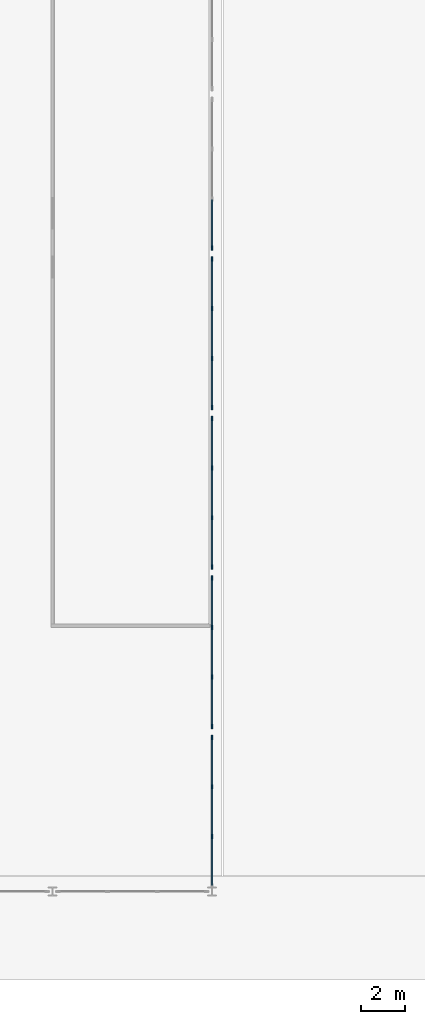
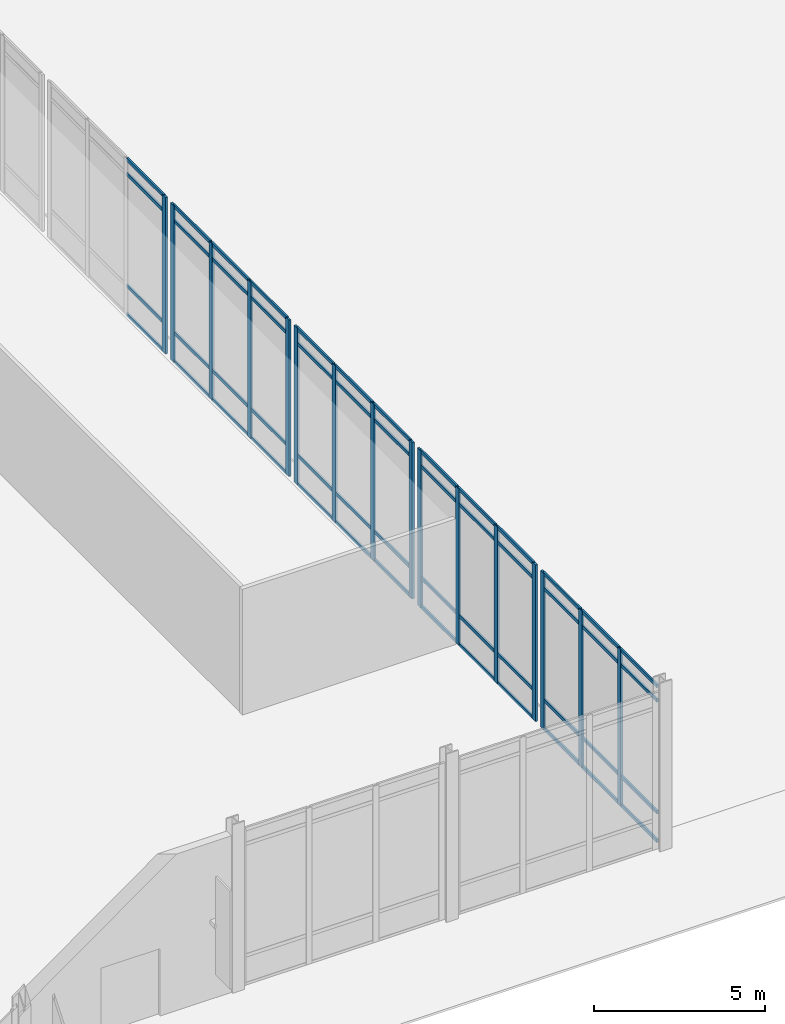
# One storey, part 25 of 104: 68 members, 5 elements without a shape of their own.
"""IFC4 building model written with IfcOpenShell, lengths in metres."""

from ifc_helpers import new_model, si_unit, direction, frame, origin, origin_2d, place, context, subcontext, project, spatial, rectangle, extrude, material, material_profile, profile_set, type_object, element, aggregate, save


model = new_model("IFC4")

# Units and contexts
model_context = context("Model", 3, precision=1e-05, world=origin(), true_north=direction((0.0, 1.0)))
body_context = subcontext(model_context, "Body", "Model", "MODEL_VIEW")
ifc_project = project(units=[si_unit("LENGTHUNIT", "METRE"), si_unit("AREAUNIT", "SQUARE_METRE"), si_unit("VOLUMEUNIT", "CUBIC_METRE"), si_unit("PLANEANGLEUNIT", "RADIAN"), si_unit("MASSUNIT", "GRAM", prefix="KILO")], contexts=[model_context])

# Site, building, storey
site_placement = place(None, origin())
site = spatial("IfcSite", under=ifc_project, at=site_placement, CompositionType="ELEMENT")
building_placement = place(site_placement, origin())
building = spatial("IfcBuilding", under=site, at=building_placement, Name="Vaelcorin Mobility Hub", CompositionType="ELEMENT")
storey_placement = place(building_placement, origin())
storey = spatial("IfcBuildingStorey", under=building, at=storey_placement, Name="L00", CompositionType="ELEMENT", Elevation=0.0)

# Curtain wall, members
ifc_material = material(Name="Anodised aluminium 6063-T6", Category="aluminium")
curtain_wall_type = type_object("IfcCurtainWallType", Name="CW-CONC-B", PredefinedType="NOTDEFINED", material=ifc_material)
curtain_wall_1_placement = place(storey_placement, origin())
curtain_wall_1 = element("IfcCurtainWall", 1, at=curtain_wall_1_placement, inside=storey, type_object=curtain_wall_type, Name="L00 Curtain Wall CW-V1-E-01", PredefinedType="NOTDEFINED")
ifc_material_profile_1 = material_profile(ifc_material, rectangle(XDim=0.070068359375, YDim=0.199951171875, at=origin_2d()), Name="ALU-M70X200")
ifc_profile_set_1 = profile_set([ifc_material_profile_1], Name="Anodised aluminium 6063-T6")
member_type_1 = type_object("IfcMemberType", Name="CW-MULL-200", PredefinedType="MULLION", material=ifc_profile_set_1)
member_1_placement = place(storey_placement, frame((108.0, 12.949951171875, 0.0), z_axis=(0.0, 0.0, 1.0), x_axis=(1.0, 0.0, 0.0)))
member_1 = element("IfcMember", 2, at=member_1_placement, type_object=member_type_1, Name="CW2 mullion 1", PredefinedType="MULLION", context=body_context, shape_type="SweptSolid", body=[
    extrude(rectangle(XDim=0.070068359375, YDim=0.199951171875, at=origin_2d()), origin(), (0.0, 0.0, 1.0), 5.580078125),
])
member_2_placement = place(storey_placement, frame((108.0, 10.7265625, 0.0), z_axis=(0.0, 0.0, 1.0), x_axis=(1.0, 0.0, 0.0)))
member_2 = element("IfcMember", 3, at=member_2_placement, type_object=member_type_1, Name="CW2 mullion 2", PredefinedType="MULLION", context=body_context, shape_type="SweptSolid", body=[
    extrude(rectangle(XDim=0.070068359375, YDim=0.199951171875, at=origin_2d()), origin(), (0.0, 0.0, 1.0), 5.580078125),
])
member_3_placement = place(storey_placement, frame((108.0, 8.473388671875, 0.0), z_axis=(0.0, 0.0, 1.0), x_axis=(1.0, 0.0, 0.0)))
member_3 = element("IfcMember", 4, at=member_3_placement, type_object=member_type_1, Name="CW2 mullion 3", PredefinedType="MULLION", context=body_context, shape_type="SweptSolid", body=[
    extrude(rectangle(XDim=0.070068359375, YDim=0.199951171875, at=origin_2d()), origin(), (0.0, 0.0, 1.0), 5.580078125),
])

curtain_wall_2_placement = place(storey_placement, origin())
curtain_wall_2 = element("IfcCurtainWall", 5, at=curtain_wall_2_placement, inside=storey, type_object=curtain_wall_type, Name="L00 Curtain Wall CW-V1-E-02", PredefinedType="NOTDEFINED")
member_4_placement = place(storey_placement, frame((108.0, 20.14990234375, 0.0), z_axis=(0.0, 0.0, 1.0), x_axis=(1.0, 0.0, 0.0)))
member_4 = element("IfcMember", 6, at=member_4_placement, type_object=member_type_1, Name="CW2 mullion 1", PredefinedType="MULLION", context=body_context, shape_type="SweptSolid", body=[
    extrude(rectangle(XDim=0.070068359375, YDim=0.199951171875, at=origin_2d()), origin(), (0.0, 0.0, 1.0), 5.580078125),
])
member_5_placement = place(storey_placement, frame((108.0, 17.9267578125, 0.0), z_axis=(0.0, 0.0, 1.0), x_axis=(1.0, 0.0, 0.0)))
member_5 = element("IfcMember", 7, at=member_5_placement, type_object=member_type_1, Name="CW2 mullion 2", PredefinedType="MULLION", context=body_context, shape_type="SweptSolid", body=[
    extrude(rectangle(XDim=0.070068359375, YDim=0.199951171875, at=origin_2d()), origin(), (0.0, 0.0, 1.0), 5.580078125),
])
member_6_placement = place(storey_placement, frame((108.0, 15.67333984375, 0.0), z_axis=(0.0, 0.0, 1.0), x_axis=(1.0, 0.0, 0.0)))
member_6 = element("IfcMember", 8, at=member_6_placement, type_object=member_type_1, Name="CW2 mullion 3", PredefinedType="MULLION", context=body_context, shape_type="SweptSolid", body=[
    extrude(rectangle(XDim=0.070068359375, YDim=0.199951171875, at=origin_2d()), origin(), (0.0, 0.0, 1.0), 5.580078125),
])
member_7_placement = place(storey_placement, frame((108.0, 13.449951171875, 0.0), z_axis=(0.0, 0.0, 1.0), x_axis=(1.0, 0.0, 0.0)))
member_7 = element("IfcMember", 9, at=member_7_placement, type_object=member_type_1, Name="CW2 mullion 4", PredefinedType="MULLION", context=body_context, shape_type="SweptSolid", body=[
    extrude(rectangle(XDim=0.070068359375, YDim=0.199951171875, at=origin_2d()), origin(), (0.0, 0.0, 1.0), 5.580078125),
])

curtain_wall_3_placement = place(storey_placement, origin())
curtain_wall_3 = element("IfcCurtainWall", 10, at=curtain_wall_3_placement, inside=storey, type_object=curtain_wall_type, Name="L00 Curtain Wall CW-V1-E-03", PredefinedType="NOTDEFINED")
member_8_placement = place(storey_placement, frame((108.0, 27.35009765625, 0.0), z_axis=(0.0, 0.0, 1.0), x_axis=(1.0, 0.0, 0.0)))
member_8 = element("IfcMember", 11, at=member_8_placement, type_object=member_type_1, Name="CW2 mullion 1", PredefinedType="MULLION", context=body_context, shape_type="SweptSolid", body=[
    extrude(rectangle(XDim=0.070068359375, YDim=0.199951171875, at=origin_2d()), origin(), (0.0, 0.0, 1.0), 5.580078125),
])
member_9_placement = place(storey_placement, frame((108.0, 25.126708984375, 0.0), z_axis=(0.0, 0.0, 1.0), x_axis=(1.0, 0.0, 0.0)))
member_9 = element("IfcMember", 12, at=member_9_placement, type_object=member_type_1, Name="CW2 mullion 2", PredefinedType="MULLION", context=body_context, shape_type="SweptSolid", body=[
    extrude(rectangle(XDim=0.070068359375, YDim=0.199951171875, at=origin_2d()), origin(), (0.0, 0.0, 1.0), 5.580078125),
])
member_10_placement = place(storey_placement, frame((108.0, 22.873291015625, 0.0), z_axis=(0.0, 0.0, 1.0), x_axis=(1.0, 0.0, 0.0)))
member_10 = element("IfcMember", 13, at=member_10_placement, type_object=member_type_1, Name="CW2 mullion 3", PredefinedType="MULLION", context=body_context, shape_type="SweptSolid", body=[
    extrude(rectangle(XDim=0.070068359375, YDim=0.199951171875, at=origin_2d()), origin(), (0.0, 0.0, 1.0), 5.580078125),
])
member_11_placement = place(storey_placement, frame((108.0, 20.64990234375, 0.0), z_axis=(0.0, 0.0, 1.0), x_axis=(1.0, 0.0, 0.0)))
member_11 = element("IfcMember", 14, at=member_11_placement, type_object=member_type_1, Name="CW2 mullion 4", PredefinedType="MULLION", context=body_context, shape_type="SweptSolid", body=[
    extrude(rectangle(XDim=0.070068359375, YDim=0.199951171875, at=origin_2d()), origin(), (0.0, 0.0, 1.0), 5.580078125),
])

curtain_wall_4_placement = place(storey_placement, origin())
curtain_wall_4 = element("IfcCurtainWall", 15, at=curtain_wall_4_placement, inside=storey, type_object=curtain_wall_type, Name="L00 Curtain Wall CW-V1-E-04", PredefinedType="NOTDEFINED")
member_12_placement = place(storey_placement, frame((108.0, 34.550048828125, 0.0), z_axis=(0.0, 0.0, 1.0), x_axis=(1.0, 0.0, 0.0)))
member_12 = element("IfcMember", 16, at=member_12_placement, type_object=member_type_1, Name="CW2 mullion 1", PredefinedType="MULLION", context=body_context, shape_type="SweptSolid", body=[
    extrude(rectangle(XDim=0.070068359375, YDim=0.199951171875, at=origin_2d()), origin(), (0.0, 0.0, 1.0), 5.580078125),
])
member_13_placement = place(storey_placement, frame((108.0, 32.32666015625, 0.0), z_axis=(0.0, 0.0, 1.0), x_axis=(1.0, 0.0, 0.0)))
member_13 = element("IfcMember", 17, at=member_13_placement, type_object=member_type_1, Name="CW2 mullion 2", PredefinedType="MULLION", context=body_context, shape_type="SweptSolid", body=[
    extrude(rectangle(XDim=0.070068359375, YDim=0.199951171875, at=origin_2d()), origin(), (0.0, 0.0, 1.0), 5.580078125),
])
member_14_placement = place(storey_placement, frame((108.0, 30.0732421875, 0.0), z_axis=(0.0, 0.0, 1.0), x_axis=(1.0, 0.0, 0.0)))
member_14 = element("IfcMember", 18, at=member_14_placement, type_object=member_type_1, Name="CW2 mullion 3", PredefinedType="MULLION", context=body_context, shape_type="SweptSolid", body=[
    extrude(rectangle(XDim=0.070068359375, YDim=0.199951171875, at=origin_2d()), origin(), (0.0, 0.0, 1.0), 5.580078125),
])
member_15_placement = place(storey_placement, frame((108.0, 27.85009765625, 0.0), z_axis=(0.0, 0.0, 1.0), x_axis=(1.0, 0.0, 0.0)))
member_15 = element("IfcMember", 19, at=member_15_placement, type_object=member_type_1, Name="CW2 mullion 4", PredefinedType="MULLION", context=body_context, shape_type="SweptSolid", body=[
    extrude(rectangle(XDim=0.070068359375, YDim=0.199951171875, at=origin_2d()), origin(), (0.0, 0.0, 1.0), 5.580078125),
])

# Curtain wall, member
curtain_wall_5_placement = place(storey_placement, origin())
curtain_wall_5 = element("IfcCurtainWall", 20, at=curtain_wall_5_placement, inside=storey, type_object=curtain_wall_type, Name="L00 Curtain Wall CW-V1-E-05", PredefinedType="NOTDEFINED")
member_16_placement = place(storey_placement, frame((108.0, 35.050048828125, 0.0), z_axis=(0.0, 0.0, 1.0), x_axis=(1.0, 0.0, 0.0)))
member_16 = element("IfcMember", 21, at=member_16_placement, type_object=member_type_1, Name="CW2 mullion 4", PredefinedType="MULLION", context=body_context, shape_type="SweptSolid", body=[
    extrude(rectangle(XDim=0.070068359375, YDim=0.199951171875, at=origin_2d()), origin(), (0.0, 0.0, 1.0), 5.580078125),
])

# Member
ifc_material_profile_2 = material_profile(ifc_material, rectangle(XDim=0.06005859375, YDim=0.1201171875, at=origin_2d()), Name="ALU-T60X120")
ifc_profile_set_2 = profile_set([ifc_material_profile_2], Name="Anodised aluminium 6063-T6")
member_type_2 = type_object("IfcMemberType", Name="CW-TRAN-140", PredefinedType="USERDEFINED", material=ifc_profile_set_2)
member_17_placement = place(storey_placement, frame((108.0, 12.919921875, 0.030029296875), z_axis=(0.0, -1.0, 0.0), x_axis=(1.0, 0.0, 0.0)))
member_17 = element("IfcMember", 22, at=member_17_placement, type_object=member_type_2, Name="CW2 transom 1.1", ObjectType="TRANSOM", PredefinedType="USERDEFINED", context=body_context, shape_type="SweptSolid", body=[
    extrude(rectangle(XDim=0.06005859375, YDim=0.1201171875, at=origin_2d()), origin(), (0.0, 0.0, 1.0), 2.163330078125),
])

member_18_placement = place(storey_placement, frame((108.0, 12.919921875, 1.050048828125), z_axis=(0.0, -1.0, 0.0), x_axis=(1.0, 0.0, 0.0)))
member_18 = element("IfcMember", 23, at=member_18_placement, type_object=member_type_2, Name="CW2 transom 1.2", ObjectType="TRANSOM", PredefinedType="USERDEFINED", context=body_context, shape_type="SweptSolid", body=[
    extrude(rectangle(XDim=0.06005859375, YDim=0.1201171875, at=origin_2d()), origin(), (0.0, 0.0, 1.0), 2.163330078125),
])

member_19_placement = place(storey_placement, frame((108.0, 12.919921875, 5.030029296875), z_axis=(0.0, -1.0, 0.0), x_axis=(1.0, 0.0, 0.0)))
member_19 = element("IfcMember", 24, at=member_19_placement, type_object=member_type_2, Name="CW2 transom 1.3", ObjectType="TRANSOM", PredefinedType="USERDEFINED", context=body_context, shape_type="SweptSolid", body=[
    extrude(rectangle(XDim=0.06005859375, YDim=0.1201171875, at=origin_2d()), origin(), (0.0, 0.0, 1.0), 2.163330078125),
])

member_20_placement = place(storey_placement, frame((108.0, 12.919921875, 5.550048828125), z_axis=(0.0, -1.0, 0.0), x_axis=(1.0, 0.0, 0.0)))
member_20 = element("IfcMember", 25, at=member_20_placement, type_object=member_type_2, Name="CW2 transom 1.4", ObjectType="TRANSOM", PredefinedType="USERDEFINED", context=body_context, shape_type="SweptSolid", body=[
    extrude(rectangle(XDim=0.06005859375, YDim=0.1201171875, at=origin_2d()), origin(), (0.0, 0.0, 1.0), 2.163330078125),
])

member_21_placement = place(storey_placement, frame((108.0, 10.69677734375, 0.030029296875), z_axis=(0.0, -1.0, 0.0), x_axis=(1.0, 0.0, 0.0)))
member_21 = element("IfcMember", 26, at=member_21_placement, type_object=member_type_2, Name="CW2 transom 2.1", ObjectType="TRANSOM", PredefinedType="USERDEFINED", context=body_context, shape_type="SweptSolid", body=[
    extrude(rectangle(XDim=0.06005859375, YDim=0.1201171875, at=origin_2d()), origin(), (0.0, 0.0, 1.0), 2.193359375),
])

member_22_placement = place(storey_placement, frame((108.0, 10.69677734375, 1.050048828125), z_axis=(0.0, -1.0, 0.0), x_axis=(1.0, 0.0, 0.0)))
member_22 = element("IfcMember", 27, at=member_22_placement, type_object=member_type_2, Name="CW2 transom 2.2", ObjectType="TRANSOM", PredefinedType="USERDEFINED", context=body_context, shape_type="SweptSolid", body=[
    extrude(rectangle(XDim=0.06005859375, YDim=0.1201171875, at=origin_2d()), origin(), (0.0, 0.0, 1.0), 2.193359375),
])

member_23_placement = place(storey_placement, frame((108.0, 10.69677734375, 5.030029296875), z_axis=(0.0, -1.0, 0.0), x_axis=(1.0, 0.0, 0.0)))
member_23 = element("IfcMember", 28, at=member_23_placement, type_object=member_type_2, Name="CW2 transom 2.3", ObjectType="TRANSOM", PredefinedType="USERDEFINED", context=body_context, shape_type="SweptSolid", body=[
    extrude(rectangle(XDim=0.06005859375, YDim=0.1201171875, at=origin_2d()), origin(), (0.0, 0.0, 1.0), 2.193359375),
])

member_24_placement = place(storey_placement, frame((108.0, 10.69677734375, 5.550048828125), z_axis=(0.0, -1.0, 0.0), x_axis=(1.0, 0.0, 0.0)))
member_24 = element("IfcMember", 29, at=member_24_placement, type_object=member_type_2, Name="CW2 transom 2.4", ObjectType="TRANSOM", PredefinedType="USERDEFINED", context=body_context, shape_type="SweptSolid", body=[
    extrude(rectangle(XDim=0.06005859375, YDim=0.1201171875, at=origin_2d()), origin(), (0.0, 0.0, 1.0), 2.193359375),
])

member_25_placement = place(storey_placement, frame((108.0, 8.443359375, 0.030029296875), z_axis=(0.0, -1.0, 0.0), x_axis=(1.0, 0.0, 0.0)))
member_25 = element("IfcMember", 30, at=member_25_placement, type_object=member_type_2, Name="CW2 transom 3.1", ObjectType="TRANSOM", PredefinedType="USERDEFINED", context=body_context, shape_type="SweptSolid", body=[
    extrude(rectangle(XDim=0.06005859375, YDim=0.1201171875, at=origin_2d()), origin(), (0.0, 0.0, 1.0), 2.163330078125),
])

member_26_placement = place(storey_placement, frame((108.0, 8.443359375, 1.050048828125), z_axis=(0.0, -1.0, 0.0), x_axis=(1.0, 0.0, 0.0)))
member_26 = element("IfcMember", 31, at=member_26_placement, type_object=member_type_2, Name="CW2 transom 3.2", ObjectType="TRANSOM", PredefinedType="USERDEFINED", context=body_context, shape_type="SweptSolid", body=[
    extrude(rectangle(XDim=0.06005859375, YDim=0.1201171875, at=origin_2d()), origin(), (0.0, 0.0, 1.0), 2.163330078125),
])

member_27_placement = place(storey_placement, frame((108.0, 8.443359375, 5.030029296875), z_axis=(0.0, -1.0, 0.0), x_axis=(1.0, 0.0, 0.0)))
member_27 = element("IfcMember", 32, at=member_27_placement, type_object=member_type_2, Name="CW2 transom 3.3", ObjectType="TRANSOM", PredefinedType="USERDEFINED", context=body_context, shape_type="SweptSolid", body=[
    extrude(rectangle(XDim=0.06005859375, YDim=0.1201171875, at=origin_2d()), origin(), (0.0, 0.0, 1.0), 2.163330078125),
])

member_28_placement = place(storey_placement, frame((108.0, 8.443359375, 5.550048828125), z_axis=(0.0, -1.0, 0.0), x_axis=(1.0, 0.0, 0.0)))
member_28 = element("IfcMember", 33, at=member_28_placement, type_object=member_type_2, Name="CW2 transom 3.4", ObjectType="TRANSOM", PredefinedType="USERDEFINED", context=body_context, shape_type="SweptSolid", body=[
    extrude(rectangle(XDim=0.06005859375, YDim=0.1201171875, at=origin_2d()), origin(), (0.0, 0.0, 1.0), 2.163330078125),
])

aggregate(curtain_wall_1, [member_1, member_2, member_3, member_17, member_18, member_19, member_20, member_21, member_22, member_23, member_24, member_25, member_26, member_27, member_28])

member_29_placement = place(storey_placement, frame((108.0, 20.1201171875, 0.030029296875), z_axis=(0.0, -1.0, 0.0), x_axis=(1.0, 0.0, 0.0)))
member_29 = element("IfcMember", 34, at=member_29_placement, type_object=member_type_2, Name="CW2 transom 1.1", ObjectType="TRANSOM", PredefinedType="USERDEFINED", context=body_context, shape_type="SweptSolid", body=[
    extrude(rectangle(XDim=0.06005859375, YDim=0.1201171875, at=origin_2d()), origin(), (0.0, 0.0, 1.0), 2.163330078125),
])

member_30_placement = place(storey_placement, frame((108.0, 20.1201171875, 1.050048828125), z_axis=(0.0, -1.0, 0.0), x_axis=(1.0, 0.0, 0.0)))
member_30 = element("IfcMember", 35, at=member_30_placement, type_object=member_type_2, Name="CW2 transom 1.2", ObjectType="TRANSOM", PredefinedType="USERDEFINED", context=body_context, shape_type="SweptSolid", body=[
    extrude(rectangle(XDim=0.06005859375, YDim=0.1201171875, at=origin_2d()), origin(), (0.0, 0.0, 1.0), 2.163330078125),
])

member_31_placement = place(storey_placement, frame((108.0, 20.1201171875, 5.030029296875), z_axis=(0.0, -1.0, 0.0), x_axis=(1.0, 0.0, 0.0)))
member_31 = element("IfcMember", 36, at=member_31_placement, type_object=member_type_2, Name="CW2 transom 1.3", ObjectType="TRANSOM", PredefinedType="USERDEFINED", context=body_context, shape_type="SweptSolid", body=[
    extrude(rectangle(XDim=0.06005859375, YDim=0.1201171875, at=origin_2d()), origin(), (0.0, 0.0, 1.0), 2.163330078125),
])

member_32_placement = place(storey_placement, frame((108.0, 20.1201171875, 5.550048828125), z_axis=(0.0, -1.0, 0.0), x_axis=(1.0, 0.0, 0.0)))
member_32 = element("IfcMember", 37, at=member_32_placement, type_object=member_type_2, Name="CW2 transom 1.4", ObjectType="TRANSOM", PredefinedType="USERDEFINED", context=body_context, shape_type="SweptSolid", body=[
    extrude(rectangle(XDim=0.06005859375, YDim=0.1201171875, at=origin_2d()), origin(), (0.0, 0.0, 1.0), 2.163330078125),
])

member_33_placement = place(storey_placement, frame((108.0, 17.896728515625, 0.030029296875), z_axis=(0.0, -1.0, 0.0), x_axis=(1.0, 0.0, 0.0)))
member_33 = element("IfcMember", 38, at=member_33_placement, type_object=member_type_2, Name="CW2 transom 2.1", ObjectType="TRANSOM", PredefinedType="USERDEFINED", context=body_context, shape_type="SweptSolid", body=[
    extrude(rectangle(XDim=0.06005859375, YDim=0.1201171875, at=origin_2d()), origin(), (0.0, 0.0, 1.0), 2.193359375),
])

member_34_placement = place(storey_placement, frame((108.0, 17.896728515625, 1.050048828125), z_axis=(0.0, -1.0, 0.0), x_axis=(1.0, 0.0, 0.0)))
member_34 = element("IfcMember", 39, at=member_34_placement, type_object=member_type_2, Name="CW2 transom 2.2", ObjectType="TRANSOM", PredefinedType="USERDEFINED", context=body_context, shape_type="SweptSolid", body=[
    extrude(rectangle(XDim=0.06005859375, YDim=0.1201171875, at=origin_2d()), origin(), (0.0, 0.0, 1.0), 2.193359375),
])

member_35_placement = place(storey_placement, frame((108.0, 17.896728515625, 5.030029296875), z_axis=(0.0, -1.0, 0.0), x_axis=(1.0, 0.0, 0.0)))
member_35 = element("IfcMember", 40, at=member_35_placement, type_object=member_type_2, Name="CW2 transom 2.3", ObjectType="TRANSOM", PredefinedType="USERDEFINED", context=body_context, shape_type="SweptSolid", body=[
    extrude(rectangle(XDim=0.06005859375, YDim=0.1201171875, at=origin_2d()), origin(), (0.0, 0.0, 1.0), 2.193359375),
])

member_36_placement = place(storey_placement, frame((108.0, 17.896728515625, 5.550048828125), z_axis=(0.0, -1.0, 0.0), x_axis=(1.0, 0.0, 0.0)))
member_36 = element("IfcMember", 41, at=member_36_placement, type_object=member_type_2, Name="CW2 transom 2.4", ObjectType="TRANSOM", PredefinedType="USERDEFINED", context=body_context, shape_type="SweptSolid", body=[
    extrude(rectangle(XDim=0.06005859375, YDim=0.1201171875, at=origin_2d()), origin(), (0.0, 0.0, 1.0), 2.193359375),
])

member_37_placement = place(storey_placement, frame((108.0, 15.643310546875, 0.030029296875), z_axis=(0.0, -1.0, 0.0), x_axis=(1.0, 0.0, 0.0)))
member_37 = element("IfcMember", 42, at=member_37_placement, type_object=member_type_2, Name="CW2 transom 3.1", ObjectType="TRANSOM", PredefinedType="USERDEFINED", context=body_context, shape_type="SweptSolid", body=[
    extrude(rectangle(XDim=0.06005859375, YDim=0.1201171875, at=origin_2d()), origin(), (0.0, 0.0, 1.0), 2.163330078125),
])

member_38_placement = place(storey_placement, frame((108.0, 15.643310546875, 1.050048828125), z_axis=(0.0, -1.0, 0.0), x_axis=(1.0, 0.0, 0.0)))
member_38 = element("IfcMember", 43, at=member_38_placement, type_object=member_type_2, Name="CW2 transom 3.2", ObjectType="TRANSOM", PredefinedType="USERDEFINED", context=body_context, shape_type="SweptSolid", body=[
    extrude(rectangle(XDim=0.06005859375, YDim=0.1201171875, at=origin_2d()), origin(), (0.0, 0.0, 1.0), 2.163330078125),
])

member_39_placement = place(storey_placement, frame((108.0, 15.643310546875, 5.030029296875), z_axis=(0.0, -1.0, 0.0), x_axis=(1.0, 0.0, 0.0)))
member_39 = element("IfcMember", 44, at=member_39_placement, type_object=member_type_2, Name="CW2 transom 3.3", ObjectType="TRANSOM", PredefinedType="USERDEFINED", context=body_context, shape_type="SweptSolid", body=[
    extrude(rectangle(XDim=0.06005859375, YDim=0.1201171875, at=origin_2d()), origin(), (0.0, 0.0, 1.0), 2.163330078125),
])

member_40_placement = place(storey_placement, frame((108.0, 15.643310546875, 5.550048828125), z_axis=(0.0, -1.0, 0.0), x_axis=(1.0, 0.0, 0.0)))
member_40 = element("IfcMember", 45, at=member_40_placement, type_object=member_type_2, Name="CW2 transom 3.4", ObjectType="TRANSOM", PredefinedType="USERDEFINED", context=body_context, shape_type="SweptSolid", body=[
    extrude(rectangle(XDim=0.06005859375, YDim=0.1201171875, at=origin_2d()), origin(), (0.0, 0.0, 1.0), 2.163330078125),
])

aggregate(curtain_wall_2, [member_4, member_5, member_6, member_7, member_29, member_30, member_31, member_32, member_33, member_34, member_35, member_36, member_37, member_38, member_39, member_40])

member_41_placement = place(storey_placement, frame((108.0, 27.320068359375, 0.030029296875), z_axis=(0.0, -1.0, 0.0), x_axis=(1.0, 0.0, 0.0)))
member_41 = element("IfcMember", 46, at=member_41_placement, type_object=member_type_2, Name="CW2 transom 1.1", ObjectType="TRANSOM", PredefinedType="USERDEFINED", context=body_context, shape_type="SweptSolid", body=[
    extrude(rectangle(XDim=0.06005859375, YDim=0.1201171875, at=origin_2d()), origin(), (0.0, 0.0, 1.0), 2.163330078125),
])

member_42_placement = place(storey_placement, frame((108.0, 27.320068359375, 1.050048828125), z_axis=(0.0, -1.0, 0.0), x_axis=(1.0, 0.0, 0.0)))
member_42 = element("IfcMember", 47, at=member_42_placement, type_object=member_type_2, Name="CW2 transom 1.2", ObjectType="TRANSOM", PredefinedType="USERDEFINED", context=body_context, shape_type="SweptSolid", body=[
    extrude(rectangle(XDim=0.06005859375, YDim=0.1201171875, at=origin_2d()), origin(), (0.0, 0.0, 1.0), 2.163330078125),
])

member_43_placement = place(storey_placement, frame((108.0, 27.320068359375, 5.030029296875), z_axis=(0.0, -1.0, 0.0), x_axis=(1.0, 0.0, 0.0)))
member_43 = element("IfcMember", 48, at=member_43_placement, type_object=member_type_2, Name="CW2 transom 1.3", ObjectType="TRANSOM", PredefinedType="USERDEFINED", context=body_context, shape_type="SweptSolid", body=[
    extrude(rectangle(XDim=0.06005859375, YDim=0.1201171875, at=origin_2d()), origin(), (0.0, 0.0, 1.0), 2.163330078125),
])

member_44_placement = place(storey_placement, frame((108.0, 27.320068359375, 5.550048828125), z_axis=(0.0, -1.0, 0.0), x_axis=(1.0, 0.0, 0.0)))
member_44 = element("IfcMember", 49, at=member_44_placement, type_object=member_type_2, Name="CW2 transom 1.4", ObjectType="TRANSOM", PredefinedType="USERDEFINED", context=body_context, shape_type="SweptSolid", body=[
    extrude(rectangle(XDim=0.06005859375, YDim=0.1201171875, at=origin_2d()), origin(), (0.0, 0.0, 1.0), 2.163330078125),
])

member_45_placement = place(storey_placement, frame((108.0, 25.0966796875, 0.030029296875), z_axis=(0.0, -1.0, 0.0), x_axis=(1.0, 0.0, 0.0)))
member_45 = element("IfcMember", 50, at=member_45_placement, type_object=member_type_2, Name="CW2 transom 2.1", ObjectType="TRANSOM", PredefinedType="USERDEFINED", context=body_context, shape_type="SweptSolid", body=[
    extrude(rectangle(XDim=0.06005859375, YDim=0.1201171875, at=origin_2d()), origin(), (0.0, 0.0, 1.0), 2.193359375),
])

member_46_placement = place(storey_placement, frame((108.0, 25.0966796875, 1.050048828125), z_axis=(0.0, -1.0, 0.0), x_axis=(1.0, 0.0, 0.0)))
member_46 = element("IfcMember", 51, at=member_46_placement, type_object=member_type_2, Name="CW2 transom 2.2", ObjectType="TRANSOM", PredefinedType="USERDEFINED", context=body_context, shape_type="SweptSolid", body=[
    extrude(rectangle(XDim=0.06005859375, YDim=0.1201171875, at=origin_2d()), origin(), (0.0, 0.0, 1.0), 2.193359375),
])

member_47_placement = place(storey_placement, frame((108.0, 25.0966796875, 5.030029296875), z_axis=(0.0, -1.0, 0.0), x_axis=(1.0, 0.0, 0.0)))
member_47 = element("IfcMember", 52, at=member_47_placement, type_object=member_type_2, Name="CW2 transom 2.3", ObjectType="TRANSOM", PredefinedType="USERDEFINED", context=body_context, shape_type="SweptSolid", body=[
    extrude(rectangle(XDim=0.06005859375, YDim=0.1201171875, at=origin_2d()), origin(), (0.0, 0.0, 1.0), 2.193359375),
])

member_48_placement = place(storey_placement, frame((108.0, 25.0966796875, 5.550048828125), z_axis=(0.0, -1.0, 0.0), x_axis=(1.0, 0.0, 0.0)))
member_48 = element("IfcMember", 53, at=member_48_placement, type_object=member_type_2, Name="CW2 transom 2.4", ObjectType="TRANSOM", PredefinedType="USERDEFINED", context=body_context, shape_type="SweptSolid", body=[
    extrude(rectangle(XDim=0.06005859375, YDim=0.1201171875, at=origin_2d()), origin(), (0.0, 0.0, 1.0), 2.193359375),
])

member_49_placement = place(storey_placement, frame((108.0, 22.84326171875, 0.030029296875), z_axis=(0.0, -1.0, 0.0), x_axis=(1.0, 0.0, 0.0)))
member_49 = element("IfcMember", 54, at=member_49_placement, type_object=member_type_2, Name="CW2 transom 3.1", ObjectType="TRANSOM", PredefinedType="USERDEFINED", context=body_context, shape_type="SweptSolid", body=[
    extrude(rectangle(XDim=0.06005859375, YDim=0.1201171875, at=origin_2d()), origin(), (0.0, 0.0, 1.0), 2.163330078125),
])

member_50_placement = place(storey_placement, frame((108.0, 22.84326171875, 1.050048828125), z_axis=(0.0, -1.0, 0.0), x_axis=(1.0, 0.0, 0.0)))
member_50 = element("IfcMember", 55, at=member_50_placement, type_object=member_type_2, Name="CW2 transom 3.2", ObjectType="TRANSOM", PredefinedType="USERDEFINED", context=body_context, shape_type="SweptSolid", body=[
    extrude(rectangle(XDim=0.06005859375, YDim=0.1201171875, at=origin_2d()), origin(), (0.0, 0.0, 1.0), 2.163330078125),
])

member_51_placement = place(storey_placement, frame((108.0, 22.84326171875, 5.030029296875), z_axis=(0.0, -1.0, 0.0), x_axis=(1.0, 0.0, 0.0)))
member_51 = element("IfcMember", 56, at=member_51_placement, type_object=member_type_2, Name="CW2 transom 3.3", ObjectType="TRANSOM", PredefinedType="USERDEFINED", context=body_context, shape_type="SweptSolid", body=[
    extrude(rectangle(XDim=0.06005859375, YDim=0.1201171875, at=origin_2d()), origin(), (0.0, 0.0, 1.0), 2.163330078125),
])

member_52_placement = place(storey_placement, frame((108.0, 22.84326171875, 5.550048828125), z_axis=(0.0, -1.0, 0.0), x_axis=(1.0, 0.0, 0.0)))
member_52 = element("IfcMember", 57, at=member_52_placement, type_object=member_type_2, Name="CW2 transom 3.4", ObjectType="TRANSOM", PredefinedType="USERDEFINED", context=body_context, shape_type="SweptSolid", body=[
    extrude(rectangle(XDim=0.06005859375, YDim=0.1201171875, at=origin_2d()), origin(), (0.0, 0.0, 1.0), 2.163330078125),
])

aggregate(curtain_wall_3, [member_8, member_9, member_10, member_11, member_41, member_42, member_43, member_44, member_45, member_46, member_47, member_48, member_49, member_50, member_51, member_52])

member_53_placement = place(storey_placement, frame((108.0, 34.52001953125, 0.030029296875), z_axis=(0.0, -1.0, 0.0), x_axis=(1.0, 0.0, 0.0)))
member_53 = element("IfcMember", 58, at=member_53_placement, type_object=member_type_2, Name="CW2 transom 1.1", ObjectType="TRANSOM", PredefinedType="USERDEFINED", context=body_context, shape_type="SweptSolid", body=[
    extrude(rectangle(XDim=0.06005859375, YDim=0.1201171875, at=origin_2d()), origin(), (0.0, 0.0, 1.0), 2.163330078125),
])

member_54_placement = place(storey_placement, frame((108.0, 34.52001953125, 1.050048828125), z_axis=(0.0, -1.0, 0.0), x_axis=(1.0, 0.0, 0.0)))
member_54 = element("IfcMember", 59, at=member_54_placement, type_object=member_type_2, Name="CW2 transom 1.2", ObjectType="TRANSOM", PredefinedType="USERDEFINED", context=body_context, shape_type="SweptSolid", body=[
    extrude(rectangle(XDim=0.06005859375, YDim=0.1201171875, at=origin_2d()), origin(), (0.0, 0.0, 1.0), 2.163330078125),
])

member_55_placement = place(storey_placement, frame((108.0, 34.52001953125, 5.030029296875), z_axis=(0.0, -1.0, 0.0), x_axis=(1.0, 0.0, 0.0)))
member_55 = element("IfcMember", 60, at=member_55_placement, type_object=member_type_2, Name="CW2 transom 1.3", ObjectType="TRANSOM", PredefinedType="USERDEFINED", context=body_context, shape_type="SweptSolid", body=[
    extrude(rectangle(XDim=0.06005859375, YDim=0.1201171875, at=origin_2d()), origin(), (0.0, 0.0, 1.0), 2.163330078125),
])

member_56_placement = place(storey_placement, frame((108.0, 34.52001953125, 5.550048828125), z_axis=(0.0, -1.0, 0.0), x_axis=(1.0, 0.0, 0.0)))
member_56 = element("IfcMember", 61, at=member_56_placement, type_object=member_type_2, Name="CW2 transom 1.4", ObjectType="TRANSOM", PredefinedType="USERDEFINED", context=body_context, shape_type="SweptSolid", body=[
    extrude(rectangle(XDim=0.06005859375, YDim=0.1201171875, at=origin_2d()), origin(), (0.0, 0.0, 1.0), 2.163330078125),
])

member_57_placement = place(storey_placement, frame((108.0, 32.296630859375, 0.030029296875), z_axis=(0.0, -1.0, 0.0), x_axis=(1.0, 0.0, 0.0)))
member_57 = element("IfcMember", 62, at=member_57_placement, type_object=member_type_2, Name="CW2 transom 2.1", ObjectType="TRANSOM", PredefinedType="USERDEFINED", context=body_context, shape_type="SweptSolid", body=[
    extrude(rectangle(XDim=0.06005859375, YDim=0.1201171875, at=origin_2d()), origin(), (0.0, 0.0, 1.0), 2.193359375),
])

member_58_placement = place(storey_placement, frame((108.0, 32.296630859375, 1.050048828125), z_axis=(0.0, -1.0, 0.0), x_axis=(1.0, 0.0, 0.0)))
member_58 = element("IfcMember", 63, at=member_58_placement, type_object=member_type_2, Name="CW2 transom 2.2", ObjectType="TRANSOM", PredefinedType="USERDEFINED", context=body_context, shape_type="SweptSolid", body=[
    extrude(rectangle(XDim=0.06005859375, YDim=0.1201171875, at=origin_2d()), origin(), (0.0, 0.0, 1.0), 2.193359375),
])

member_59_placement = place(storey_placement, frame((108.0, 32.296630859375, 5.030029296875), z_axis=(0.0, -1.0, 0.0), x_axis=(1.0, 0.0, 0.0)))
member_59 = element("IfcMember", 64, at=member_59_placement, type_object=member_type_2, Name="CW2 transom 2.3", ObjectType="TRANSOM", PredefinedType="USERDEFINED", context=body_context, shape_type="SweptSolid", body=[
    extrude(rectangle(XDim=0.06005859375, YDim=0.1201171875, at=origin_2d()), origin(), (0.0, 0.0, 1.0), 2.193359375),
])

member_60_placement = place(storey_placement, frame((108.0, 32.296630859375, 5.550048828125), z_axis=(0.0, -1.0, 0.0), x_axis=(1.0, 0.0, 0.0)))
member_60 = element("IfcMember", 65, at=member_60_placement, type_object=member_type_2, Name="CW2 transom 2.4", ObjectType="TRANSOM", PredefinedType="USERDEFINED", context=body_context, shape_type="SweptSolid", body=[
    extrude(rectangle(XDim=0.06005859375, YDim=0.1201171875, at=origin_2d()), origin(), (0.0, 0.0, 1.0), 2.193359375),
])

member_61_placement = place(storey_placement, frame((108.0, 30.043212890625, 0.030029296875), z_axis=(0.0, -1.0, 0.0), x_axis=(1.0, 0.0, 0.0)))
member_61 = element("IfcMember", 66, at=member_61_placement, type_object=member_type_2, Name="CW2 transom 3.1", ObjectType="TRANSOM", PredefinedType="USERDEFINED", context=body_context, shape_type="SweptSolid", body=[
    extrude(rectangle(XDim=0.06005859375, YDim=0.1201171875, at=origin_2d()), origin(), (0.0, 0.0, 1.0), 2.163330078125),
])

member_62_placement = place(storey_placement, frame((108.0, 30.043212890625, 1.050048828125), z_axis=(0.0, -1.0, 0.0), x_axis=(1.0, 0.0, 0.0)))
member_62 = element("IfcMember", 67, at=member_62_placement, type_object=member_type_2, Name="CW2 transom 3.2", ObjectType="TRANSOM", PredefinedType="USERDEFINED", context=body_context, shape_type="SweptSolid", body=[
    extrude(rectangle(XDim=0.06005859375, YDim=0.1201171875, at=origin_2d()), origin(), (0.0, 0.0, 1.0), 2.163330078125),
])

member_63_placement = place(storey_placement, frame((108.0, 30.043212890625, 5.030029296875), z_axis=(0.0, -1.0, 0.0), x_axis=(1.0, 0.0, 0.0)))
member_63 = element("IfcMember", 68, at=member_63_placement, type_object=member_type_2, Name="CW2 transom 3.3", ObjectType="TRANSOM", PredefinedType="USERDEFINED", context=body_context, shape_type="SweptSolid", body=[
    extrude(rectangle(XDim=0.06005859375, YDim=0.1201171875, at=origin_2d()), origin(), (0.0, 0.0, 1.0), 2.163330078125),
])

member_64_placement = place(storey_placement, frame((108.0, 30.043212890625, 5.550048828125), z_axis=(0.0, -1.0, 0.0), x_axis=(1.0, 0.0, 0.0)))
member_64 = element("IfcMember", 69, at=member_64_placement, type_object=member_type_2, Name="CW2 transom 3.4", ObjectType="TRANSOM", PredefinedType="USERDEFINED", context=body_context, shape_type="SweptSolid", body=[
    extrude(rectangle(XDim=0.06005859375, YDim=0.1201171875, at=origin_2d()), origin(), (0.0, 0.0, 1.0), 2.163330078125),
])

aggregate(curtain_wall_4, [member_12, member_13, member_14, member_15, member_53, member_54, member_55, member_56, member_57, member_58, member_59, member_60, member_61, member_62, member_63, member_64])

member_65_placement = place(storey_placement, frame((108.0, 37.243408203125, 0.030029296875), z_axis=(0.0, -1.0, 0.0), x_axis=(1.0, 0.0, 0.0)))
member_65 = element("IfcMember", 70, at=member_65_placement, type_object=member_type_2, Name="CW2 transom 3.1", ObjectType="TRANSOM", PredefinedType="USERDEFINED", context=body_context, shape_type="SweptSolid", body=[
    extrude(rectangle(XDim=0.06005859375, YDim=0.1201171875, at=origin_2d()), origin(), (0.0, 0.0, 1.0), 2.163330078125),
])

member_66_placement = place(storey_placement, frame((108.0, 37.243408203125, 1.050048828125), z_axis=(0.0, -1.0, 0.0), x_axis=(1.0, 0.0, 0.0)))
member_66 = element("IfcMember", 71, at=member_66_placement, type_object=member_type_2, Name="CW2 transom 3.2", ObjectType="TRANSOM", PredefinedType="USERDEFINED", context=body_context, shape_type="SweptSolid", body=[
    extrude(rectangle(XDim=0.06005859375, YDim=0.1201171875, at=origin_2d()), origin(), (0.0, 0.0, 1.0), 2.163330078125),
])

member_67_placement = place(storey_placement, frame((108.0, 37.243408203125, 5.030029296875), z_axis=(0.0, -1.0, 0.0), x_axis=(1.0, 0.0, 0.0)))
member_67 = element("IfcMember", 72, at=member_67_placement, type_object=member_type_2, Name="CW2 transom 3.3", ObjectType="TRANSOM", PredefinedType="USERDEFINED", context=body_context, shape_type="SweptSolid", body=[
    extrude(rectangle(XDim=0.06005859375, YDim=0.1201171875, at=origin_2d()), origin(), (0.0, 0.0, 1.0), 2.163330078125),
])

member_68_placement = place(storey_placement, frame((108.0, 37.243408203125, 5.550048828125), z_axis=(0.0, -1.0, 0.0), x_axis=(1.0, 0.0, 0.0)))
member_68 = element("IfcMember", 73, at=member_68_placement, type_object=member_type_2, Name="CW2 transom 3.4", ObjectType="TRANSOM", PredefinedType="USERDEFINED", context=body_context, shape_type="SweptSolid", body=[
    extrude(rectangle(XDim=0.06005859375, YDim=0.1201171875, at=origin_2d()), origin(), (0.0, 0.0, 1.0), 2.163330078125),
])

aggregate(curtain_wall_5, [member_16, member_65, member_66, member_67, member_68])

save(model, "model.ifc")
